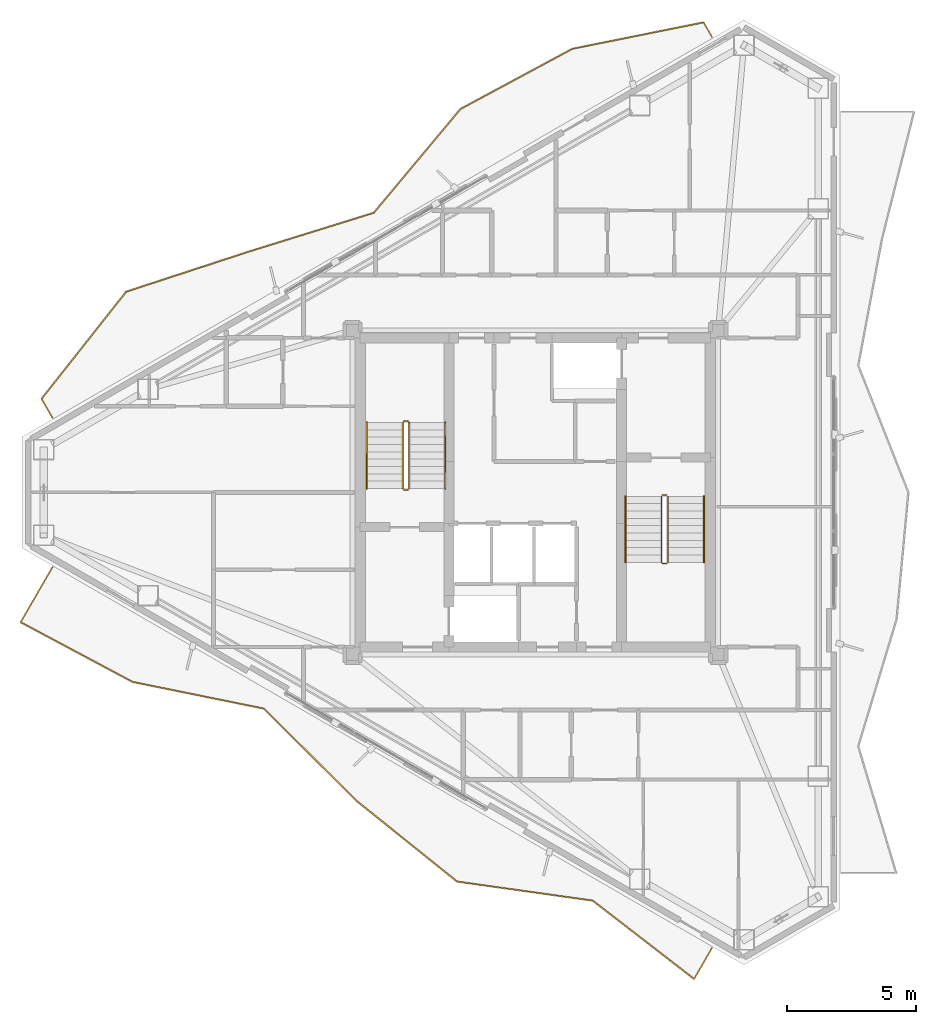
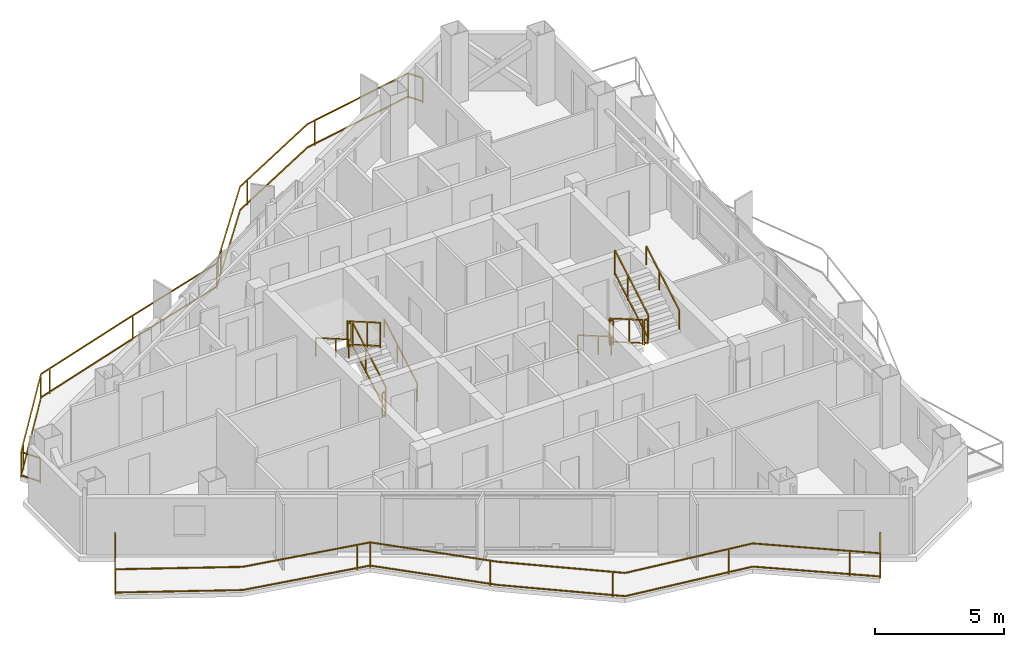
# One storey, part 21 of 22: 14 railings.
"""IFC4 building model written with IfcOpenShell, lengths in metres."""

from ifc_helpers import new_model, si_unit, direction, frame, origin, origin_2d, place, context, subcontext, project, spatial, rectangle, extrude, material, type_object, element, save


model = new_model("IFC4")

# Units and contexts
model_context = context("Model", 3, precision=1e-05, world=origin(), true_north=direction((0.0, 1.0)))
body_context = subcontext(model_context, "Body", "Model", "MODEL_VIEW")
ifc_project = project(units=[si_unit("LENGTHUNIT", "METRE"), si_unit("AREAUNIT", "SQUARE_METRE"), si_unit("VOLUMEUNIT", "CUBIC_METRE"), si_unit("PLANEANGLEUNIT", "RADIAN"), si_unit("MASSUNIT", "GRAM", prefix="KILO")], contexts=[model_context])

# Site, building, storey
site_placement = place(None, origin())
site = spatial("IfcSite", under=ifc_project, at=site_placement, CompositionType="ELEMENT")
building_placement = place(site_placement, origin())
building = spatial("IfcBuilding", under=site, at=building_placement, Name="Mersakhor Tower and Convention Hall", CompositionType="ELEMENT")
storey_placement = place(building_placement, frame((0.0, 0.0, 198.60009765625)))
storey = spatial("IfcBuildingStorey", under=building, at=storey_placement, Name="L55", CompositionType="ELEMENT", Elevation=198.60009765625)

# Railings
ifc_material_1 = material(Name="Powder-coated galvanised steel and laminated glass balustrade", Category="steel")
railing_type_1 = type_object("IfcRailingType", Name="RL-BAL-1200", PredefinedType="BALUSTRADE", material=ifc_material_1)
railing_1_placement = place(storey_placement, frame((35.86669921875, 44.44189453125, 0.0)))
element("IfcRailing", 1, at=railing_1_placement, inside=storey, type_object=railing_type_1, Name="L55 Sinusoidal Balcony Balustrade F1", PredefinedType="BALUSTRADE", context=body_context, shape_type="SweptSolid", body=[
    extrude(rectangle(XDim=0.048095703125, YDim=0.048095703125, at=origin_2d()), frame((0.0, 0.0, 1.17578125), z_axis=(-0.49989585183, 0.866085525409, 0.0), x_axis=(-0.866085525409, -0.49989585183, 0.0)), (0.0, 0.0, 1.0), 0.650146484375),
    extrude(rectangle(XDim=0.048095703125, YDim=0.048095703125, at=origin_2d()), frame((0.0, 0.0, 0.080078125), z_axis=(-0.49989585183, 0.866085525409, 0.0), x_axis=(-0.866085525409, -0.49989585183, 0.0)), (0.0, 0.0, 1.0), 0.650146484375),
    extrude(rectangle(XDim=0.048095703125, YDim=0.048095703125, at=origin_2d()), frame((-0.324951171875, 0.56298828125, 1.17578125), z_axis=(-0.980292666687, -0.197550721687, 0.0), x_axis=(0.197550721687, -0.980292666687, 0.0)), (0.0, 0.0, 1.0), 5.202880859375),
    extrude(rectangle(XDim=0.048095703125, YDim=0.048095703125, at=origin_2d()), frame((-0.324951171875, 0.56298828125, 0.080078125), z_axis=(-0.980292666687, -0.197550721687, 0.0), x_axis=(0.197550721687, -0.980292666687, 0.0)), (0.0, 0.0, 1.0), 5.202880859375),
    extrude(rectangle(XDim=0.048095703125, YDim=0.048095703125, at=origin_2d()), frame((-5.42529296875, -0.46484375, 1.17578125), z_axis=(-0.880623610418, -0.473816480058, 0.0), x_axis=(0.473816480058, -0.880623610418, 0.0)), (0.0, 0.0, 1.0), 4.93310546875),
    extrude(rectangle(XDim=0.048095703125, YDim=0.048095703125, at=origin_2d()), frame((-5.42529296875, -0.46484375, 0.080078125), z_axis=(-0.880623610418, -0.473816480058, 0.0), x_axis=(0.473816480058, -0.880623610418, 0.0)), (0.0, 0.0, 1.0), 4.93310546875),
    extrude(rectangle(XDim=0.048095703125, YDim=0.048095703125, at=origin_2d()), frame((-9.76953125, -2.80224609375, 1.17578125), z_axis=(-0.641002503759, -0.767538787407, 0.0), x_axis=(0.767538787407, -0.641002503759, 0.0)), (0.0, 0.0, 1.0), 5.251953125),
    extrude(rectangle(XDim=0.048095703125, YDim=0.048095703125, at=origin_2d()), frame((-9.76953125, -2.80224609375, 0.080078125), z_axis=(-0.641002503759, -0.767538787407, 0.0), x_axis=(0.767538787407, -0.641002503759, 0.0)), (0.0, 0.0, 1.0), 5.251953125),
    extrude(rectangle(XDim=0.048095703125, YDim=0.048095703125, at=origin_2d()), frame((-13.135986328125, -6.833251953125, 1.17578125), z_axis=(-0.955014627226, -0.296558698715, 0.0), x_axis=(0.296558698715, -0.955014627226, 0.0)), (0.0, 0.0, 1.0), 5.0556640625),
    extrude(rectangle(XDim=0.048095703125, YDim=0.048095703125, at=origin_2d()), frame((-13.135986328125, -6.833251953125, 0.080078125), z_axis=(-0.955014627226, -0.296558698715, 0.0), x_axis=(0.296558698715, -0.955014627226, 0.0)), (0.0, 0.0, 1.0), 5.0556640625),
    extrude(rectangle(XDim=0.048095703125, YDim=0.048095703125, at=origin_2d()), frame((-17.964111328125, -8.33251953125, 1.17578125), z_axis=(-0.950522565027, -0.310655522042, 0.0), x_axis=(0.310655522042, -0.950522565027, 0.0)), (0.0, 0.0, 1.0), 5.0390625),
    extrude(rectangle(XDim=0.048095703125, YDim=0.048095703125, at=origin_2d()), frame((-17.964111328125, -8.33251953125, 0.080078125), z_axis=(-0.950522565027, -0.310655522042, 0.0), x_axis=(0.310655522042, -0.950522565027, 0.0)), (0.0, 0.0, 1.0), 5.0390625),
    extrude(rectangle(XDim=0.048095703125, YDim=0.048095703125, at=origin_2d()), frame((-22.75390625, -9.89794921875, 1.17578125), z_axis=(-0.620015666307, -0.784589429915, 0.0), x_axis=(0.784589429915, -0.620015666307, 0.0)), (0.0, 0.0, 1.0), 5.306396484375),
    extrude(rectangle(XDim=0.048095703125, YDim=0.048095703125, at=origin_2d()), frame((-22.75390625, -9.89794921875, 0.080078125), z_axis=(-0.620015666307, -0.784589429915, 0.0), x_axis=(0.784589429915, -0.620015666307, 0.0)), (0.0, 0.0, 1.0), 5.306396484375),
    extrude(rectangle(XDim=0.048095703125, YDim=0.048095703125, at=origin_2d()), frame((-26.0439453125, -14.061279296875, 1.17578125), z_axis=(0.499964420222, -0.866045944804, 0.0), x_axis=(0.866045944804, 0.499964420222, 0.0)), (0.0, 0.0, 1.0), 0.84423828125),
    extrude(rectangle(XDim=0.048095703125, YDim=0.048095703125, at=origin_2d()), frame((-26.0439453125, -14.061279296875, 0.080078125), z_axis=(0.499964420222, -0.866045944804, 0.0), x_axis=(0.866045944804, 0.499964420222, 0.0)), (0.0, 0.0, 1.0), 0.84423828125),
    extrude(rectangle(XDim=0.0419921875, YDim=0.0419921875, at=origin_2d()), origin(), (0.0, 0.0, 1.0), 1.15185546875),
    extrude(rectangle(XDim=0.0419921875, YDim=0.0419921875, at=origin_2d()), frame((-0.324951171875, 0.56298828125, 0.0)), (0.0, 0.0, 1.0), 1.15185546875),
    extrude(rectangle(XDim=0.0419921875, YDim=0.0419921875, at=origin_2d()), frame((-5.0302734375, -0.38525390625, 0.0)), (0.0, 0.0, 1.0), 1.15185546875),
    extrude(rectangle(XDim=0.0419921875, YDim=0.0419921875, at=origin_2d()), frame((-9.297607421875, -2.54833984375, 0.0)), (0.0, 0.0, 1.0), 1.15185546875),
    extrude(rectangle(XDim=0.0419921875, YDim=0.0419921875, at=origin_2d()), frame((-12.502685546875, -6.074951171875, 0.0)), (0.0, 0.0, 1.0), 1.15185546875),
    extrude(rectangle(XDim=0.0419921875, YDim=0.0419921875, at=origin_2d()), frame((-13.135986328125, -6.833251953125, 0.0)), (0.0, 0.0, 1.0), 1.15185546875),
    extrude(rectangle(XDim=0.0419921875, YDim=0.0419921875, at=origin_2d()), frame((-17.719970703125, -8.2568359375, 0.0)), (0.0, 0.0, 1.0), 1.15185546875),
    extrude(rectangle(XDim=0.0419921875, YDim=0.0419921875, at=origin_2d()), frame((-22.28369140625, -9.744384765625, 0.0)), (0.0, 0.0, 1.0), 1.15185546875),
    extrude(rectangle(XDim=0.0419921875, YDim=0.0419921875, at=origin_2d()), frame((-22.75390625, -9.89794921875, 0.0)), (0.0, 0.0, 1.0), 1.15185546875),
    extrude(rectangle(XDim=0.0419921875, YDim=0.0419921875, at=origin_2d()), frame((-25.72998046875, -13.6640625, 0.0)), (0.0, 0.0, 1.0), 1.15185546875),
    extrude(rectangle(XDim=0.0419921875, YDim=0.0419921875, at=origin_2d()), frame((-26.0439453125, -14.061279296875, 0.0)), (0.0, 0.0, 1.0), 1.15185546875),
    extrude(rectangle(XDim=0.0419921875, YDim=0.0419921875, at=origin_2d()), frame((-25.621826171875, -14.79248046875, 0.0)), (0.0, 0.0, 1.0), 1.15185546875),
])
railing_2_placement = place(storey_placement, frame((10.244873046875, 23.8505859375, 0.0)))
element("IfcRailing", 2, at=railing_2_placement, inside=storey, type_object=railing_type_1, Name="L55 Sinusoidal Balcony Balustrade F3", PredefinedType="BALUSTRADE", context=body_context, shape_type="SweptSolid", body=[
    extrude(rectangle(XDim=0.048095703125, YDim=0.048095703125, at=origin_2d()), frame((0.0, 0.0, 1.17578125), z_axis=(-0.500013743233, -0.86601746898, 0.0), x_axis=(0.86601746898, -0.500013743233, 0.0)), (0.0, 0.0, 1.0), 2.466796875),
    extrude(rectangle(XDim=0.048095703125, YDim=0.048095703125, at=origin_2d()), frame((0.0, 0.0, 0.080078125), z_axis=(-0.500013743233, -0.86601746898, 0.0), x_axis=(0.86601746898, -0.500013743233, 0.0)), (0.0, 0.0, 1.0), 2.466796875),
    extrude(rectangle(XDim=0.048095703125, YDim=0.048095703125, at=origin_2d()), frame((-1.2333984375, -2.13623046875, 1.17578125), z_axis=(0.882433745003, -0.470436696784, 0.0), x_axis=(0.470436696784, 0.882433745003, 0.0)), (0.0, 0.0, 1.0), 4.933837890625),
    extrude(rectangle(XDim=0.048095703125, YDim=0.048095703125, at=origin_2d()), frame((-1.2333984375, -2.13623046875, 0.080078125), z_axis=(0.882433745003, -0.470436696784, 0.0), x_axis=(0.470436696784, 0.882433745003, 0.0)), (0.0, 0.0, 1.0), 4.933837890625),
    extrude(rectangle(XDim=0.048095703125, YDim=0.048095703125, at=origin_2d()), frame((3.120361328125, -4.457275390625, 1.17578125), z_axis=(0.979934330688, -0.199320614939, 0.0), x_axis=(0.199320614939, 0.979934330688, 0.0)), (0.0, 0.0, 1.0), 5.199462890625),
    extrude(rectangle(XDim=0.048095703125, YDim=0.048095703125, at=origin_2d()), frame((3.120361328125, -4.457275390625, 0.080078125), z_axis=(0.979934330688, -0.199320614939, 0.0), x_axis=(0.199320614939, 0.979934330688, 0.0)), (0.0, 0.0, 1.0), 5.199462890625),
    extrude(rectangle(XDim=0.048095703125, YDim=0.048095703125, at=origin_2d()), frame((8.215576171875, -5.49365234375, 1.17578125), z_axis=(0.709281192256, -0.704925662969, 0.0), x_axis=(0.704925662969, 0.709281192256, 0.0)), (0.0, 0.0, 1.0), 5.100830078125),
    extrude(rectangle(XDim=0.048095703125, YDim=0.048095703125, at=origin_2d()), frame((8.215576171875, -5.49365234375, 0.080078125), z_axis=(0.709281192256, -0.704925662969, 0.0), x_axis=(0.704925662969, 0.709281192256, 0.0)), (0.0, 0.0, 1.0), 5.100830078125),
    extrude(rectangle(XDim=0.048095703125, YDim=0.048095703125, at=origin_2d()), frame((11.83349609375, -9.08935546875, 1.17578125), z_axis=(0.7799273569, -0.625870048779, 0.0), x_axis=(0.625870048779, 0.7799273569, 0.0)), (0.0, 0.0, 1.0), 4.98876953125),
    extrude(rectangle(XDim=0.048095703125, YDim=0.048095703125, at=origin_2d()), frame((11.83349609375, -9.08935546875, 0.080078125), z_axis=(0.7799273569, -0.625870048779, 0.0), x_axis=(0.625870048779, 0.7799273569, 0.0)), (0.0, 0.0, 1.0), 4.98876953125),
    extrude(rectangle(XDim=0.048095703125, YDim=0.048095703125, at=origin_2d()), frame((15.724365234375, -12.211669921875, 1.17578125), z_axis=(0.99029264695, -0.138998105732, 0.0), x_axis=(0.138998105732, 0.99029264695, 0.0)), (0.0, 0.0, 1.0), 5.318359375),
    extrude(rectangle(XDim=0.048095703125, YDim=0.048095703125, at=origin_2d()), frame((15.724365234375, -12.211669921875, 0.080078125), z_axis=(0.99029264695, -0.138998105732, 0.0), x_axis=(0.138998105732, 0.99029264695, 0.0)), (0.0, 0.0, 1.0), 5.318359375),
    extrude(rectangle(XDim=0.048095703125, YDim=0.048095703125, at=origin_2d()), frame((20.9912109375, -12.950927734375, 1.17578125), z_axis=(0.791255866733, -0.611485202896, 0.0), x_axis=(0.611485202896, 0.791255866733, 0.0)), (0.0, 0.0, 1.0), 4.97607421875),
    extrude(rectangle(XDim=0.048095703125, YDim=0.048095703125, at=origin_2d()), frame((20.9912109375, -12.950927734375, 0.080078125), z_axis=(0.791255866733, -0.611485202896, 0.0), x_axis=(0.611485202896, 0.791255866733, 0.0)), (0.0, 0.0, 1.0), 4.97607421875),
    extrude(rectangle(XDim=0.048095703125, YDim=0.048095703125, at=origin_2d()), frame((24.928466796875, -15.99365234375, 1.17578125), z_axis=(0.499925626596, 0.866068339032, 0.0), x_axis=(-0.866068339032, 0.499925626596, 0.0)), (0.0, 0.0, 1.0), 1.386962890625),
    extrude(rectangle(XDim=0.048095703125, YDim=0.048095703125, at=origin_2d()), frame((24.928466796875, -15.99365234375, 0.080078125), z_axis=(0.499925626596, 0.866068339032, 0.0), x_axis=(-0.866068339032, 0.499925626596, 0.0)), (0.0, 0.0, 1.0), 1.386962890625),
    extrude(rectangle(XDim=0.0419921875, YDim=0.0419921875, at=origin_2d()), origin(), (0.0, 0.0, 1.0), 1.15185546875),
    extrude(rectangle(XDim=0.0419921875, YDim=0.0419921875, at=origin_2d()), frame((-1.2333984375, -2.13623046875, 0.0)), (0.0, 0.0, 1.0), 1.15185546875),
    extrude(rectangle(XDim=0.0419921875, YDim=0.0419921875, at=origin_2d()), frame((7.69287109375, -5.387451171875, 0.0)), (0.0, 0.0, 1.0), 1.15185546875),
    extrude(rectangle(XDim=0.0419921875, YDim=0.0419921875, at=origin_2d()), frame((8.215576171875, -5.49365234375, 0.0)), (0.0, 0.0, 1.0), 1.15185546875),
    extrude(rectangle(XDim=0.0419921875, YDim=0.0419921875, at=origin_2d()), frame((11.6201171875, -8.877197265625, 0.0)), (0.0, 0.0, 1.0), 1.15185546875),
    extrude(rectangle(XDim=0.0419921875, YDim=0.0419921875, at=origin_2d()), frame((15.342529296875, -11.9052734375, 0.0)), (0.0, 0.0, 1.0), 1.15185546875),
    extrude(rectangle(XDim=0.0419921875, YDim=0.0419921875, at=origin_2d()), frame((19.992919921875, -12.810791015625, 0.0)), (0.0, 0.0, 1.0), 1.15185546875),
    extrude(rectangle(XDim=0.0419921875, YDim=0.0419921875, at=origin_2d()), frame((23.99169921875, -15.26953125, 0.0)), (0.0, 0.0, 1.0), 1.15185546875),
    extrude(rectangle(XDim=0.0419921875, YDim=0.0419921875, at=origin_2d()), frame((24.928466796875, -15.99365234375, 0.0)), (0.0, 0.0, 1.0), 1.15185546875),
    extrude(rectangle(XDim=0.0419921875, YDim=0.0419921875, at=origin_2d()), frame((25.621826171875, -14.79248046875, 0.0)), (0.0, 0.0, 1.0), 1.15185546875),
])
ifc_material_2 = material(Name="Brushed stainless steel handrail", Category="steel")
railing_type_2 = type_object("IfcRailingType", Name="RL-HR-900", PredefinedType="HANDRAIL", material=ifc_material_2)
railing_3_placement = place(storey_placement, frame((25.5, 26.89990234375, 0.164794921875)))
element("IfcRailing", 3, at=railing_3_placement, inside=storey, type_object=railing_type_2, Name="L55 ST-1 stair handrail 1", PredefinedType="HANDRAIL", context=body_context, shape_type="SweptSolid", body=[
    extrude(rectangle(XDim=0.048095703125, YDim=0.048095703125, at=origin_2d()), frame((0.0, 0.0, 0.8759765625), z_axis=(0.0, 0.865426285481, 0.501036270542), x_axis=(-1.0, 0.0, 0.0)), (0.0, 0.0, 1.0), 2.964111328125),
    extrude(rectangle(XDim=0.0419921875, YDim=0.0419921875, at=origin_2d()), origin(), (0.0, 0.0, 1.0), 0.851806640625),
    extrude(rectangle(XDim=0.0419921875, YDim=0.0419921875, at=origin_2d()), frame((0.0, 1.557861328125, 0.90185546875)), (0.0, 0.0, 1.0), 0.851806640625),
    extrude(rectangle(XDim=0.0419921875, YDim=0.0419921875, at=origin_2d()), frame((0.0, 2.565185546875, 1.485107421875)), (0.0, 0.0, 1.0), 0.851806640625),
])
railing_4_placement = place(storey_placement, frame((22.449951171875, 29.465087890625, 1.81494140625)))
element("IfcRailing", 4, at=railing_4_placement, inside=storey, type_object=railing_type_2, Name="L55 ST-1 stair handrail 2", PredefinedType="HANDRAIL", context=body_context, shape_type="SweptSolid", body=[
    extrude(rectangle(XDim=0.048095703125, YDim=0.048095703125, at=origin_2d()), frame((0.0, 0.0, 0.8759765625), z_axis=(0.0, -0.865461999751, 0.500974577186), x_axis=(1.0, 0.0, 0.0)), (0.0, 0.0, 1.0), 2.9638671875),
    extrude(rectangle(XDim=0.0419921875, YDim=0.0419921875, at=origin_2d()), origin(), (0.0, 0.0, 1.0), 0.851806640625),
    extrude(rectangle(XDim=0.0419921875, YDim=0.0419921875, at=origin_2d()), frame((0.0, -1.557861328125, 0.90185546875)), (0.0, 0.0, 1.0), 0.851806640625),
    extrude(rectangle(XDim=0.0419921875, YDim=0.0419921875, at=origin_2d()), frame((0.0, -2.565185546875, 1.48486328125)), (0.0, 0.0, 1.0), 0.851806640625),
])
railing_5_placement = place(storey_placement, frame((32.5, 26.60009765625, 0.164794921875)))
element("IfcRailing", 5, at=railing_5_placement, inside=storey, type_object=railing_type_2, Name="L55 ST-2 stair handrail 1", PredefinedType="HANDRAIL", context=body_context, shape_type="SweptSolid", body=[
    extrude(rectangle(XDim=0.048095703125, YDim=0.048095703125, at=origin_2d()), frame((0.0, 0.0, 0.8759765625), z_axis=(0.0, -0.865426285481, 0.501036270542), x_axis=(1.0, 0.0, 0.0)), (0.0, 0.0, 1.0), 2.964111328125),
    extrude(rectangle(XDim=0.0419921875, YDim=0.0419921875, at=origin_2d()), origin(), (0.0, 0.0, 1.0), 0.851806640625),
    extrude(rectangle(XDim=0.0419921875, YDim=0.0419921875, at=origin_2d()), frame((0.0, -1.557861328125, 0.90185546875)), (0.0, 0.0, 1.0), 0.851806640625),
    extrude(rectangle(XDim=0.0419921875, YDim=0.0419921875, at=origin_2d()), frame((0.0, -2.565185546875, 1.485107421875)), (0.0, 0.0, 1.0), 0.851806640625),
])
railing_6_placement = place(storey_placement, frame((35.550048828125, 24.034912109375, 1.81494140625)))
element("IfcRailing", 6, at=railing_6_placement, inside=storey, type_object=railing_type_2, Name="L55 ST-2 stair handrail 2", PredefinedType="HANDRAIL", context=body_context, shape_type="SweptSolid", body=[
    extrude(rectangle(XDim=0.048095703125, YDim=0.048095703125, at=origin_2d()), frame((0.0, 0.0, 0.8759765625), z_axis=(0.0, 0.865461999751, 0.500974577186), x_axis=(-1.0, 0.0, 0.0)), (0.0, 0.0, 1.0), 2.9638671875),
    extrude(rectangle(XDim=0.0419921875, YDim=0.0419921875, at=origin_2d()), origin(), (0.0, 0.0, 1.0), 0.851806640625),
    extrude(rectangle(XDim=0.0419921875, YDim=0.0419921875, at=origin_2d()), frame((0.0, 1.557861328125, 0.90185546875)), (0.0, 0.0, 1.0), 0.851806640625),
    extrude(rectangle(XDim=0.0419921875, YDim=0.0419921875, at=origin_2d()), frame((0.0, 2.565185546875, 1.48486328125)), (0.0, 0.0, 1.0), 0.851806640625),
])
ifc_material_3 = material(Name="Painted steel stair balustrade S355", Category="steel")
railing_type_3 = type_object("IfcRailingType", Name="RL-STG-1200", PredefinedType="BALUSTRADE", material=ifc_material_3)
railing_7_placement = place(storey_placement, frame((24.10009765625, 26.89990234375, 0.164794921875)))
element("IfcRailing", 7, at=railing_7_placement, inside=storey, type_object=railing_type_3, Name="L55 ST-1 stair guard 1", PredefinedType="BALUSTRADE", context=body_context, shape_type="SweptSolid", body=[
    extrude(rectangle(XDim=0.048095703125, YDim=0.048095703125, at=origin_2d()), frame((0.0, 0.0, 1.17578125), z_axis=(0.0, 0.865426285481, 0.501036270542), x_axis=(-1.0, 0.0, 0.0)), (0.0, 0.0, 1.0), 2.964111328125),
    extrude(rectangle(XDim=0.048095703125, YDim=0.048095703125, at=origin_2d()), frame((0.0, 0.0, 0.080078125), z_axis=(0.0, 0.865426285481, 0.501036270542), x_axis=(-1.0, 0.0, 0.0)), (0.0, 0.0, 1.0), 2.964111328125),
    extrude(rectangle(XDim=0.0419921875, YDim=0.0419921875, at=origin_2d()), origin(), (0.0, 0.0, 1.0), 1.15185546875),
    extrude(rectangle(XDim=0.0419921875, YDim=0.0419921875, at=origin_2d()), frame((0.0, 1.557861328125, 0.90185546875)), (0.0, 0.0, 1.0), 1.15185546875),
    extrude(rectangle(XDim=0.0419921875, YDim=0.0419921875, at=origin_2d()), frame((0.0, 2.565185546875, 1.485107421875)), (0.0, 0.0, 1.0), 1.15185546875),
])
railing_8_placement = place(storey_placement, frame((24.050048828125, 29.514892578125, 1.64990234375)))
element("IfcRailing", 8, at=railing_8_placement, inside=storey, type_object=railing_type_3, Name="L55 ST-1 stair guard 2", PredefinedType="BALUSTRADE", context=body_context, shape_type="SweptSolid", body=[
    extrude(rectangle(XDim=0.048095703125, YDim=0.048095703125, at=origin_2d()), frame((0.0, 0.0, 1.17578125), z_axis=(-1.0, 0.0, 0.0), x_axis=(0.0, -1.0, 0.0)), (0.0, 0.0, 1.0), 0.150146484375),
    extrude(rectangle(XDim=0.048095703125, YDim=0.048095703125, at=origin_2d()), frame((0.0, 0.0, 0.080078125), z_axis=(-1.0, 0.0, 0.0), x_axis=(0.0, -1.0, 0.0)), (0.0, 0.0, 1.0), 0.150146484375),
    extrude(rectangle(XDim=0.0419921875, YDim=0.0419921875, at=origin_2d()), origin(), (0.0, 0.0, 1.0), 1.15185546875),
    extrude(rectangle(XDim=0.0419921875, YDim=0.0419921875, at=origin_2d()), frame((-0.150146484375, 0.0, 0.0)), (0.0, 0.0, 1.0), 1.15185546875),
])
railing_9_placement = place(storey_placement, frame((23.85009765625, 29.465087890625, 1.81494140625)))
element("IfcRailing", 9, at=railing_9_placement, inside=storey, type_object=railing_type_3, Name="L55 ST-1 stair guard 3", PredefinedType="BALUSTRADE", context=body_context, shape_type="SweptSolid", body=[
    extrude(rectangle(XDim=0.048095703125, YDim=0.048095703125, at=origin_2d()), frame((0.0, 0.0, 1.17578125), z_axis=(0.0, -0.865461999751, 0.500974577186), x_axis=(1.0, 0.0, 0.0)), (0.0, 0.0, 1.0), 2.9638671875),
    extrude(rectangle(XDim=0.048095703125, YDim=0.048095703125, at=origin_2d()), frame((0.0, 0.0, 0.080078125), z_axis=(0.0, -0.865461999751, 0.500974577186), x_axis=(1.0, 0.0, 0.0)), (0.0, 0.0, 1.0), 2.9638671875),
    extrude(rectangle(XDim=0.0419921875, YDim=0.0419921875, at=origin_2d()), origin(), (0.0, 0.0, 1.0), 1.15185546875),
    extrude(rectangle(XDim=0.0419921875, YDim=0.0419921875, at=origin_2d()), frame((0.0, -1.557861328125, 0.90185546875)), (0.0, 0.0, 1.0), 1.15185546875),
    extrude(rectangle(XDim=0.0419921875, YDim=0.0419921875, at=origin_2d()), frame((0.0, -2.565185546875, 1.48486328125)), (0.0, 0.0, 1.0), 1.15185546875),
])
railing_10_placement = place(storey_placement, frame((24.050048828125, 26.85009765625, 0.0)))
element("IfcRailing", 10, at=railing_10_placement, inside=storey, type_object=railing_type_3, Name="L55 ST-1 stair guard 4", PredefinedType="BALUSTRADE", context=body_context, shape_type="SweptSolid", body=[
    extrude(rectangle(XDim=0.048095703125, YDim=0.048095703125, at=origin_2d()), frame((0.0, 0.0, 1.17578125), z_axis=(-1.0, 0.0, 0.0), x_axis=(0.0, -1.0, 0.0)), (0.0, 0.0, 1.0), 0.150146484375),
    extrude(rectangle(XDim=0.048095703125, YDim=0.048095703125, at=origin_2d()), frame((0.0, 0.0, 0.080078125), z_axis=(-1.0, 0.0, 0.0), x_axis=(0.0, -1.0, 0.0)), (0.0, 0.0, 1.0), 0.150146484375),
    extrude(rectangle(XDim=0.0419921875, YDim=0.0419921875, at=origin_2d()), origin(), (0.0, 0.0, 1.0), 1.15185546875),
    extrude(rectangle(XDim=0.0419921875, YDim=0.0419921875, at=origin_2d()), frame((-0.150146484375, 0.0, 0.0)), (0.0, 0.0, 1.0), 1.15185546875),
])
railing_11_placement = place(storey_placement, frame((33.89990234375, 26.60009765625, 0.164794921875)))
element("IfcRailing", 11, at=railing_11_placement, inside=storey, type_object=railing_type_3, Name="L55 ST-2 stair guard 1", PredefinedType="BALUSTRADE", context=body_context, shape_type="SweptSolid", body=[
    extrude(rectangle(XDim=0.048095703125, YDim=0.048095703125, at=origin_2d()), frame((0.0, 0.0, 1.17578125), z_axis=(0.0, -0.865426285481, 0.501036270542), x_axis=(1.0, 0.0, 0.0)), (0.0, 0.0, 1.0), 2.964111328125),
    extrude(rectangle(XDim=0.048095703125, YDim=0.048095703125, at=origin_2d()), frame((0.0, 0.0, 0.080078125), z_axis=(0.0, -0.865426285481, 0.501036270542), x_axis=(1.0, 0.0, 0.0)), (0.0, 0.0, 1.0), 2.964111328125),
    extrude(rectangle(XDim=0.0419921875, YDim=0.0419921875, at=origin_2d()), origin(), (0.0, 0.0, 1.0), 1.15185546875),
    extrude(rectangle(XDim=0.0419921875, YDim=0.0419921875, at=origin_2d()), frame((0.0, -1.557861328125, 0.90185546875)), (0.0, 0.0, 1.0), 1.15185546875),
    extrude(rectangle(XDim=0.0419921875, YDim=0.0419921875, at=origin_2d()), frame((0.0, -2.565185546875, 1.485107421875)), (0.0, 0.0, 1.0), 1.15185546875),
])
railing_12_placement = place(storey_placement, frame((33.949951171875, 23.985107421875, 1.64990234375)))
element("IfcRailing", 12, at=railing_12_placement, inside=storey, type_object=railing_type_3, Name="L55 ST-2 stair guard 2", PredefinedType="BALUSTRADE", context=body_context, shape_type="SweptSolid", body=[
    extrude(rectangle(XDim=0.048095703125, YDim=0.048095703125, at=origin_2d()), frame((0.0, 0.0, 1.17578125), z_axis=(1.0, 0.0, 0.0), x_axis=(0.0, 1.0, 0.0)), (0.0, 0.0, 1.0), 0.150146484375),
    extrude(rectangle(XDim=0.048095703125, YDim=0.048095703125, at=origin_2d()), frame((0.0, 0.0, 0.080078125), z_axis=(1.0, 0.0, 0.0), x_axis=(0.0, 1.0, 0.0)), (0.0, 0.0, 1.0), 0.150146484375),
    extrude(rectangle(XDim=0.0419921875, YDim=0.0419921875, at=origin_2d()), origin(), (0.0, 0.0, 1.0), 1.15185546875),
    extrude(rectangle(XDim=0.0419921875, YDim=0.0419921875, at=origin_2d()), frame((0.150146484375, 0.0, 0.0)), (0.0, 0.0, 1.0), 1.15185546875),
])
railing_13_placement = place(storey_placement, frame((34.14990234375, 24.034912109375, 1.81494140625)))
element("IfcRailing", 13, at=railing_13_placement, inside=storey, type_object=railing_type_3, Name="L55 ST-2 stair guard 3", PredefinedType="BALUSTRADE", context=body_context, shape_type="SweptSolid", body=[
    extrude(rectangle(XDim=0.048095703125, YDim=0.048095703125, at=origin_2d()), frame((0.0, 0.0, 1.17578125), z_axis=(0.0, 0.865461999751, 0.500974577186), x_axis=(-1.0, 0.0, 0.0)), (0.0, 0.0, 1.0), 2.9638671875),
    extrude(rectangle(XDim=0.048095703125, YDim=0.048095703125, at=origin_2d()), frame((0.0, 0.0, 0.080078125), z_axis=(0.0, 0.865461999751, 0.500974577186), x_axis=(-1.0, 0.0, 0.0)), (0.0, 0.0, 1.0), 2.9638671875),
    extrude(rectangle(XDim=0.0419921875, YDim=0.0419921875, at=origin_2d()), origin(), (0.0, 0.0, 1.0), 1.15185546875),
    extrude(rectangle(XDim=0.0419921875, YDim=0.0419921875, at=origin_2d()), frame((0.0, 1.557861328125, 0.90185546875)), (0.0, 0.0, 1.0), 1.15185546875),
    extrude(rectangle(XDim=0.0419921875, YDim=0.0419921875, at=origin_2d()), frame((0.0, 2.565185546875, 1.48486328125)), (0.0, 0.0, 1.0), 1.15185546875),
])
railing_14_placement = place(storey_placement, frame((33.949951171875, 26.64990234375, 0.0)))
element("IfcRailing", 14, at=railing_14_placement, inside=storey, type_object=railing_type_3, Name="L55 ST-2 stair guard 4", PredefinedType="BALUSTRADE", context=body_context, shape_type="SweptSolid", body=[
    extrude(rectangle(XDim=0.048095703125, YDim=0.048095703125, at=origin_2d()), frame((0.0, 0.0, 1.17578125), z_axis=(1.0, 0.0, 0.0), x_axis=(0.0, 1.0, 0.0)), (0.0, 0.0, 1.0), 0.150146484375),
    extrude(rectangle(XDim=0.048095703125, YDim=0.048095703125, at=origin_2d()), frame((0.0, 0.0, 0.080078125), z_axis=(1.0, 0.0, 0.0), x_axis=(0.0, 1.0, 0.0)), (0.0, 0.0, 1.0), 0.150146484375),
    extrude(rectangle(XDim=0.0419921875, YDim=0.0419921875, at=origin_2d()), origin(), (0.0, 0.0, 1.0), 1.15185546875),
    extrude(rectangle(XDim=0.0419921875, YDim=0.0419921875, at=origin_2d()), frame((0.150146484375, 0.0, 0.0)), (0.0, 0.0, 1.0), 1.15185546875),
])

save(model, "model.ifc")
